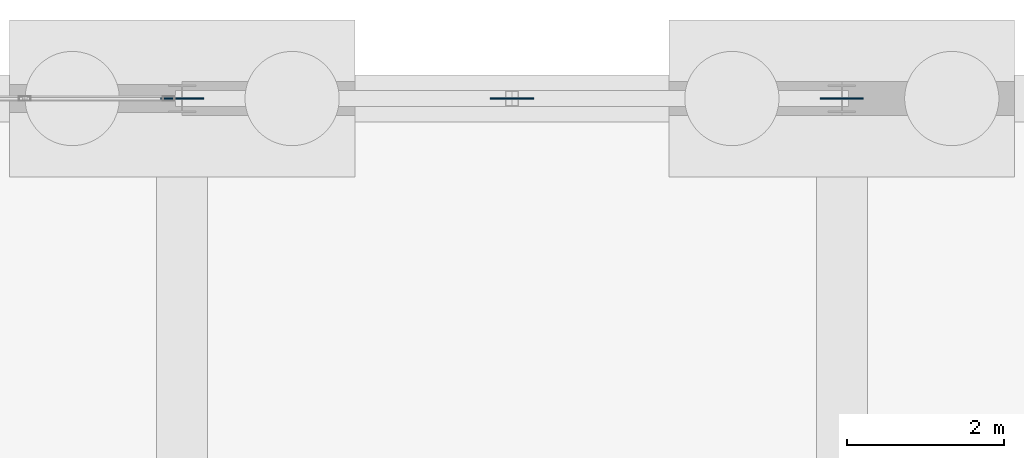
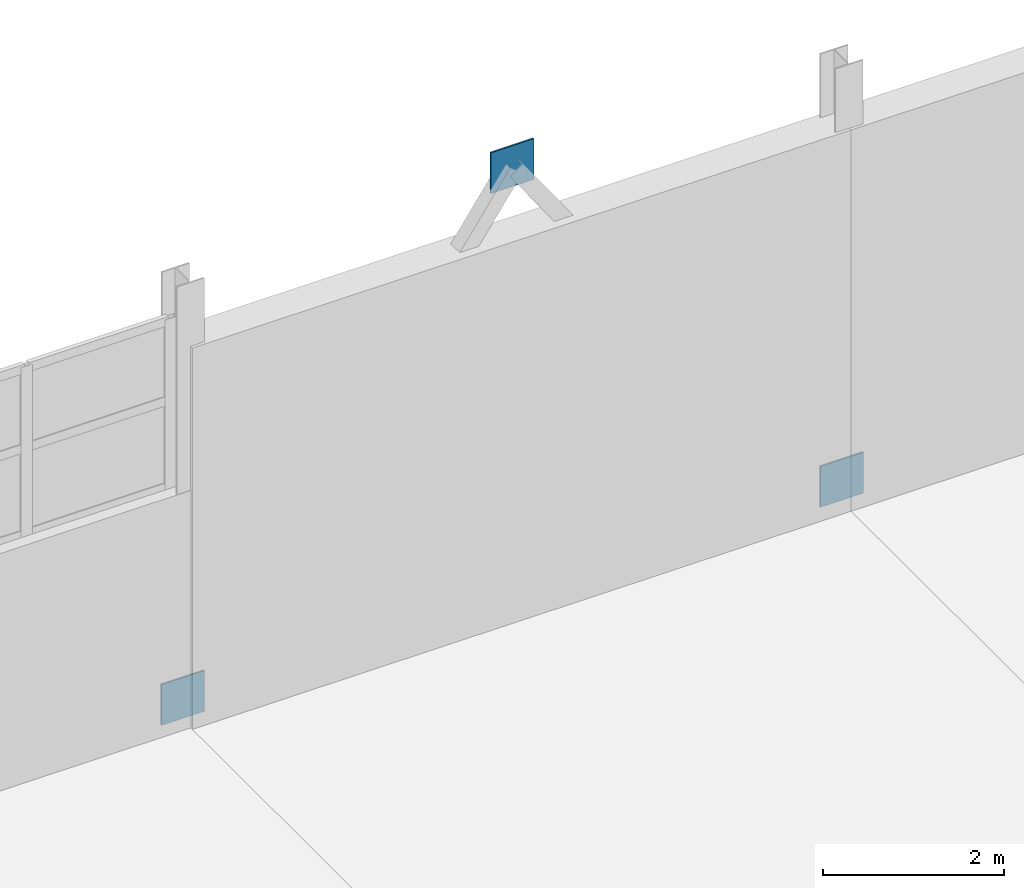
# One storey, part 117 of 139: 3 plates.
"""IFC4 building model written with IfcOpenShell, lengths in metres."""

from ifc_helpers import new_model, si_unit, direction, frame, origin, origin_2d, place, context, subcontext, project, spatial, rectangle, extrude, material, layer, layer_set, type_object, element, save


model = new_model("IFC4")

# Units and contexts
model_context = context("Model", 3, precision=1e-05, world=origin(), true_north=direction((0.0, 1.0)))
body_context = subcontext(model_context, "Body", "Model", "MODEL_VIEW")
ifc_project = project(units=[si_unit("LENGTHUNIT", "METRE"), si_unit("AREAUNIT", "SQUARE_METRE"), si_unit("VOLUMEUNIT", "CUBIC_METRE"), si_unit("PLANEANGLEUNIT", "RADIAN"), si_unit("MASSUNIT", "GRAM", prefix="KILO")], contexts=[model_context])

# Site, building, storey
site_placement = place(None, origin())
site = spatial("IfcSite", under=ifc_project, at=site_placement, CompositionType="ELEMENT")
building_placement = place(site_placement, origin())
building = spatial("IfcBuilding", under=site, at=building_placement, Name="Kazenagashi Tramway Depot", CompositionType="ELEMENT")
storey_placement = place(building_placement, origin())
storey = spatial("IfcBuildingStorey", under=building, at=storey_placement, Name="L01", CompositionType="ELEMENT", Elevation=0.0)

# Plates
ifc_material = material(Name="Steel SN490B", Category="steel")
ifc_layer = layer(ifc_material, 0.022)
ifc_layer_set = layer_set([ifc_layer], Name="Steel SN490B")
plate_type = type_object("IfcPlateType", Name="GP-01", PredefinedType="USERDEFINED", material=ifc_layer_set)
for number, where, z_axis, x_axis, name in (
    (1, (112.0, 130.0, 0.025), (0.0, 0.0, 1.0), (1.0, 0.0, 0.0), "Structural Node Plate GP-01 PLT-0159"),
    (2, (116.2, 130.0, 5.725), (0.0, 0.0, 1.0), (1.0, 0.0, 0.0), "Structural Node Plate GP-01 PLT-0160"),
    (3, (120.4, 130.0, 0.025), (0.0, 0.0, 1.0), (1.0, 0.0, 0.0), "Structural Node Plate GP-01 PLT-0161"),
):
    element("IfcPlate", number, at=place(storey_placement, frame(where, z_axis=z_axis, x_axis=x_axis)), inside=storey, type_object=plate_type, Name=name, ObjectType="GUSSET PLATE", PredefinedType="USERDEFINED", context=body_context, shape_type="SweptSolid", body=[
        extrude(rectangle(XDim=0.55, YDim=0.022, at=origin_2d()), origin(), (0.0, 0.0, 1.0), 0.55),
    ])

save(model, "model.ifc")
